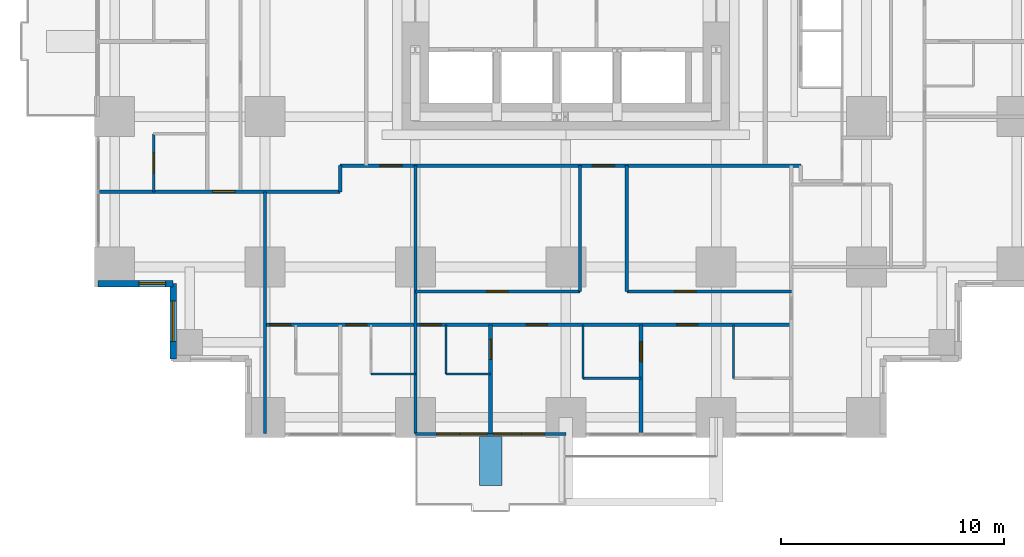
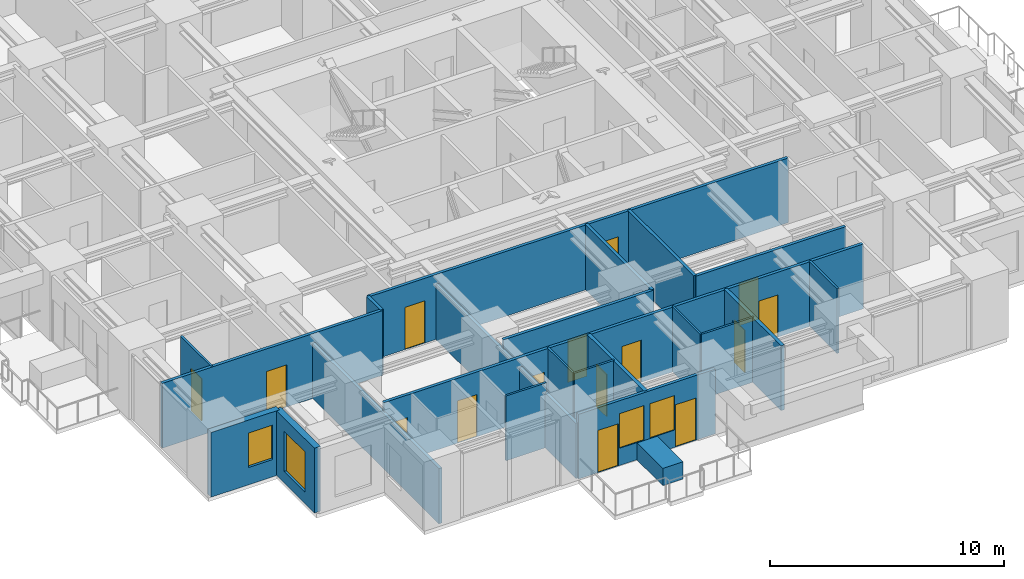
# One storey, part 8 of 14: 23 walls, 15 doors, 4 windows, 19 openings.
"""IFC4 building model written with IfcOpenShell, lengths in metres."""

from ifc_helpers import new_model, si_unit, direction, frame, frame_2d, origin, place, context, subcontext, project, spatial, rectangle, extrude, material, layer, layer_set, type_object, element, fill, save


model = new_model("IFC4")

# Units and contexts
model_context = context("Model", 3, precision=1e-05, world=origin(), true_north=direction((0.0, 1.0)))
body_context = subcontext(model_context, "Body", "Model", "MODEL_VIEW")
ifc_project = project(units=[si_unit("LENGTHUNIT", "METRE"), si_unit("AREAUNIT", "SQUARE_METRE"), si_unit("VOLUMEUNIT", "CUBIC_METRE"), si_unit("PLANEANGLEUNIT", "RADIAN"), si_unit("MASSUNIT", "GRAM", prefix="KILO")], contexts=[model_context])

# Site, building, storey
site_placement = place(None, origin())
site = spatial("IfcSite", under=ifc_project, at=site_placement, CompositionType="ELEMENT")
building_placement = place(site_placement, origin())
building = spatial("IfcBuilding", under=site, at=building_placement, Name="Nyansa Garden Tower", CompositionType="ELEMENT")
storey_placement = place(building_placement, frame((0.0, 0.0, 54.0)))
storey = spatial("IfcBuildingStorey", under=building, at=storey_placement, Name="L14", CompositionType="ELEMENT", Elevation=54.0)

# Wall, opening, door
ifc_material_1 = material(Name="Dense blockwork, plastered both sides, 55 dB", Category="masonry")
ifc_layer_1 = layer(ifc_material_1, 0.175048828125)
ifc_layer_set_1 = layer_set([ifc_layer_1], Name="Acoustic party wall PW175")
wall_type_1 = type_object("IfcWallType", Name="Acoustic party wall PW175", PredefinedType="PARTITIONING", material=ifc_layer_set_1)
wall_1_placement = place(storey_placement, frame((16.875, -0.73388671875, 0.0), z_axis=(0.0, 0.0, 1.0), x_axis=(0.0, 1.0, 0.0)))
wall_1 = element("IfcWall", 1, at=wall_1_placement, inside=storey, type_object=wall_type_1, Name="Party wall", PredefinedType="PARTITIONING", context=body_context, shape_type="SweptSolid", body=[
    extrude(rectangle(XDim=4.8837890625, YDim=0.175048828125, at=frame_2d((2.44189453125, 0.0))), origin(), (0.0, 0.0, 1.0), 3.375),
])
opening_1_placement = place(wall_1_placement, frame((3.333984375, 0.0, 0.0)))
opening_1 = element("IfcOpeningElement", 2, at=opening_1_placement, cuts=wall_1, Name="Opening D02", PredefinedType="OPENING", context=body_context, shape_type="SweptSolid", body=[
    extrude(rectangle(XDim=0.89990234375, YDim=2.199951171875, at=frame_2d((0.449951171875, 1.10009765625))), frame((0.0, 0.097412109375, 0.0), z_axis=(0.0, -1.0, 0.0), x_axis=(1.0, 0.0, 0.0)), (0.0, 0.0, 1.0), 0.195068359375),
])
ifc_material_2 = material(Name="Timber flush door", Category="wood")
door_type_1 = type_object("IfcDoorType", Name="En-suite door D02 900x2200", OperationType="SINGLE_SWING_RIGHT", PredefinedType="DOOR", material=ifc_material_2)
door_1_placement = place(opening_1_placement, origin())
door_1 = element("IfcDoor", 3, at=door_1_placement, inside=storey, type_object=door_type_1, Name="Door L14-028", OperationType="SINGLE_SWING_RIGHT", OverallHeight=2.199951171875, OverallWidth=0.89990234375, PredefinedType="DOOR", context=body_context, shape_type="SweptSolid", body=[
    extrude(rectangle(XDim=0.89990234375, YDim=2.199951171875, at=frame_2d((0.449951171875, 1.10009765625))), frame((0.0, 0.02490234375, 0.0), z_axis=(0.0, -1.0, 0.0), x_axis=(1.0, 0.0, 0.0)), (0.0, 0.0, 1.0), 0.050048828125),
])
fill(opening_1, door_1)

wall_2_placement = place(storey_placement, frame((23.625, -0.73388671875, 0.0), z_axis=(0.0, 0.0, 1.0), x_axis=(0.0, 1.0, 0.0)))
wall_2 = element("IfcWall", 4, at=wall_2_placement, inside=storey, type_object=wall_type_1, Name="Party wall", PredefinedType="PARTITIONING", context=body_context, shape_type="SweptSolid", body=[
    extrude(rectangle(XDim=4.8837890625, YDim=0.175048828125, at=frame_2d((2.44189453125, 0.0))), origin(), (0.0, 0.0, 1.0), 3.375),
])
opening_2_placement = place(wall_2_placement, frame((3.23388671875, 0.0, 0.0)))
opening_2 = element("IfcOpeningElement", 5, at=opening_2_placement, cuts=wall_2, Name="Opening D02", PredefinedType="OPENING", context=body_context, shape_type="SweptSolid", body=[
    extrude(rectangle(XDim=0.89990234375, YDim=2.199951171875, at=frame_2d((0.449951171875, 1.10009765625))), frame((0.0, 0.097412109375, 0.0), z_axis=(0.0, -1.0, 0.0), x_axis=(1.0, 0.0, 0.0)), (0.0, 0.0, 1.0), 0.195068359375),
])
door_2_placement = place(opening_2_placement, origin())
door_2 = element("IfcDoor", 6, at=door_2_placement, inside=storey, type_object=door_type_1, Name="Door L14-026", OperationType="SINGLE_SWING_RIGHT", OverallHeight=2.199951171875, OverallWidth=0.89990234375, PredefinedType="DOOR", context=body_context, shape_type="SweptSolid", body=[
    extrude(rectangle(XDim=0.89990234375, YDim=2.199951171875, at=frame_2d((0.449951171875, 1.10009765625))), frame((0.0, 0.02490234375, 0.0), z_axis=(0.0, -1.0, 0.0), x_axis=(1.0, 0.0, 0.0)), (0.0, 0.0, 1.0), 0.050048828125),
])
fill(opening_2, door_2)

# Wall, openings, doors, windows
ifc_material_3 = material(Name="Black aluminium framed glazed screen", Category="aluminium")
ifc_layer_2 = layer(ifc_material_3, 0.14990234375)
ifc_layer_set_2 = layer_set([ifc_layer_2], Name="Balcony screen wall BW150")
wall_type_2 = type_object("IfcWallType", Name="Balcony screen wall BW150", PredefinedType="SOLIDWALL", material=ifc_layer_set_2)
wall_3_placement = place(storey_placement, frame((20.25, -0.75, 0.0), z_axis=(0.0, 0.0, 1.0), x_axis=(-1.0, 0.0, 0.0)))
wall_3 = element("IfcWall", 7, at=wall_3_placement, inside=storey, type_object=wall_type_2, Name="Glazed screen wall L14 S", PredefinedType="SOLIDWALL", context=body_context, shape_type="SweptSolid", body=[
    extrude(rectangle(XDim=6.75, YDim=0.14990234375, at=frame_2d((3.375, 0.0))), origin(), (0.0, 0.0, 1.0), 3.375),
])
opening_3_placement = place(wall_3_placement, frame((0.96240234375, 0.0, 0.0)))
opening_3 = element("IfcOpeningElement", 8, at=opening_3_placement, cuts=wall_3, Name="Opening D20", PredefinedType="OPENING", context=body_context, shape_type="SweptSolid", body=[
    extrude(rectangle(XDim=1.0, YDim=2.199951171875, at=frame_2d((0.5, 1.10009765625))), frame((0.0, 0.0849609375, 0.0), z_axis=(0.0, -1.0, 0.0), x_axis=(1.0, 0.0, 0.0)), (0.0, 0.0, 1.0), 0.169921875),
])
opening_4_placement = place(wall_3_placement, frame((2.02490234375, 0.0, 0.89990234375)))
opening_4 = element("IfcOpeningElement", 9, at=opening_4_placement, cuts=wall_3, Name="Opening W6", PredefinedType="OPENING", context=body_context, shape_type="SweptSolid", body=[
    extrude(rectangle(XDim=1.199951171875, YDim=1.800048828125, at=frame_2d((0.60009765625, 0.89990234375))), frame((0.0, 0.0849609375, 0.0), z_axis=(0.0, -1.0, 0.0), x_axis=(1.0, 0.0, 0.0)), (0.0, 0.0, 1.0), 0.169921875),
])
opening_5_placement = place(wall_3_placement, frame((4.78759765625, 0.0, 0.0)))
opening_5 = element("IfcOpeningElement", 10, at=opening_5_placement, cuts=wall_3, Name="Opening D20", PredefinedType="OPENING", context=body_context, shape_type="SweptSolid", body=[
    extrude(rectangle(XDim=1.0, YDim=2.199951171875, at=frame_2d((0.5, 1.10009765625))), frame((0.0, 0.0849609375, 0.0), z_axis=(0.0, -1.0, 0.0), x_axis=(1.0, 0.0, 0.0)), (0.0, 0.0, 1.0), 0.169921875),
])
opening_6_placement = place(wall_3_placement, frame((3.52490234375, 0.0, 0.89990234375)))
opening_6 = element("IfcOpeningElement", 11, at=opening_6_placement, cuts=wall_3, Name="Opening W6", PredefinedType="OPENING", context=body_context, shape_type="SweptSolid", body=[
    extrude(rectangle(XDim=1.199951171875, YDim=1.800048828125, at=frame_2d((0.60009765625, 0.89990234375))), frame((0.0, 0.0849609375, 0.0), z_axis=(0.0, -1.0, 0.0), x_axis=(1.0, 0.0, 0.0)), (0.0, 0.0, 1.0), 0.169921875),
])
ifc_material_4 = material(Name="Black aluminium framed glazed door", Category="aluminium")
door_type_2 = type_object("IfcDoorType", Name="Balcony door D20 1000x2200", OperationType="NOTDEFINED", PredefinedType="DOOR", material=ifc_material_4)
door_3_placement = place(opening_3_placement, origin())
door_3 = element("IfcDoor", 12, at=door_3_placement, inside=storey, type_object=door_type_2, Name="Balcony door L14", OperationType="SINGLE_SWING_LEFT", OverallHeight=2.199951171875, OverallWidth=1.0, PredefinedType="DOOR", context=body_context, shape_type="SweptSolid", body=[
    extrude(rectangle(XDim=1.0, YDim=2.199951171875, at=frame_2d((0.5, 1.10009765625))), frame((0.0, 0.02490234375, 0.0), z_axis=(0.0, -1.0, 0.0), x_axis=(1.0, 0.0, 0.0)), (0.0, 0.0, 1.0), 0.050048828125),
])
fill(opening_3, door_3)
door_4_placement = place(opening_5_placement, origin())
door_4 = element("IfcDoor", 13, at=door_4_placement, inside=storey, type_object=door_type_2, Name="Balcony door L14", OperationType="SINGLE_SWING_RIGHT", OverallHeight=2.199951171875, OverallWidth=1.0, PredefinedType="DOOR", context=body_context, shape_type="SweptSolid", body=[
    extrude(rectangle(XDim=1.0, YDim=2.199951171875, at=frame_2d((0.5, 1.10009765625))), frame((0.0, 0.02490234375, 0.0), z_axis=(0.0, -1.0, 0.0), x_axis=(1.0, 0.0, 0.0)), (0.0, 0.0, 1.0), 0.050048828125),
])
fill(opening_5, door_4)
ifc_material_5 = material(Name="Black aluminium frame, dark tinted double glazing", Category="aluminium")
window_type_1 = type_object("IfcWindowType", Name="Balcony window W6 1200x1800", PartitioningType="SINGLE_PANEL", PredefinedType="WINDOW", material=ifc_material_5)
window_1_placement = place(opening_4_placement, origin())
window_1 = element("IfcWindow", 14, at=window_1_placement, inside=storey, type_object=window_type_1, Name="Window L14", OverallHeight=1.800048828125, OverallWidth=1.199951171875, PartitioningType="SINGLE_PANEL", PredefinedType="WINDOW", context=body_context, shape_type="SweptSolid", body=[
    extrude(rectangle(XDim=1.199951171875, YDim=1.800048828125, at=frame_2d((0.60009765625, 0.89990234375))), frame((0.0, 0.030029296875, 0.0), z_axis=(0.0, -1.0, 0.0), x_axis=(1.0, 0.0, 0.0)), (0.0, 0.0, 1.0), 0.06005859375),
])
fill(opening_4, window_1)
window_2_placement = place(opening_6_placement, origin())
window_2 = element("IfcWindow", 15, at=window_2_placement, inside=storey, type_object=window_type_1, Name="Window L14", OverallHeight=1.800048828125, OverallWidth=1.199951171875, PartitioningType="SINGLE_PANEL", PredefinedType="WINDOW", context=body_context, shape_type="SweptSolid", body=[
    extrude(rectangle(XDim=1.199951171875, YDim=1.800048828125, at=frame_2d((0.60009765625, 0.89990234375))), frame((0.0, 0.030029296875, 0.0), z_axis=(0.0, -1.0, 0.0), x_axis=(1.0, 0.0, 0.0)), (0.0, 0.0, 1.0), 0.06005859375),
])
fill(opening_6, window_2)

# Wall, opening, door
ifc_material_6 = material(Name="Blockwork, plastered both sides", Category="masonry")
ifc_layer_3 = layer(ifc_material_6, 0.14990234375)
ifc_layer_set_3 = layer_set([ifc_layer_3], Name="Partition PW150")
wall_type_3 = type_object("IfcWallType", Name="Partition PW150", PredefinedType="PARTITIONING", material=ifc_layer_set_3)
wall_4_placement = place(storey_placement, frame((-0.73388671875, 10.125, 0.0), z_axis=(0.0, 0.0, 1.0), x_axis=(1.0, 0.0, 0.0)))
wall_4 = element("IfcWall", 16, at=wall_4_placement, inside=storey, type_object=wall_type_3, Name="Partition", PredefinedType="PARTITIONING", context=body_context, shape_type="SweptSolid", body=[
    extrude(rectangle(XDim=10.85888671875, YDim=0.14990234375, at=frame_2d((5.429443359375, 0.0))), origin(), (0.0, 0.0, 1.0), 3.375),
])
opening_7_placement = place(wall_4_placement, frame((5.134033203125, 0.0, 0.0)))
opening_7 = element("IfcOpeningElement", 17, at=opening_7_placement, cuts=wall_4, Name="Opening D03", PredefinedType="OPENING", context=body_context, shape_type="SweptSolid", body=[
    extrude(rectangle(XDim=1.0, YDim=2.199951171875, at=frame_2d((0.5, 1.10009765625))), frame((0.0, 0.0849609375, 0.0), z_axis=(0.0, -1.0, 0.0), x_axis=(1.0, 0.0, 0.0)), (0.0, 0.0, 1.0), 0.169921875),
])
ifc_material_7 = material(Name="Timber flush door, 60 minute fire resisting", Category="wood")
door_type_3 = type_object("IfcDoorType", Name="Cluster entrance door D03 1000x2200", OperationType="SINGLE_SWING_LEFT", PredefinedType="DOOR", material=ifc_material_7)
door_5_placement = place(opening_7_placement, origin())
door_5 = element("IfcDoor", 18, at=door_5_placement, inside=storey, type_object=door_type_3, Name="Door L14-017", OperationType="SINGLE_SWING_LEFT", OverallHeight=2.199951171875, OverallWidth=1.0, PredefinedType="DOOR", context=body_context, shape_type="SweptSolid", body=[
    extrude(rectangle(XDim=1.0, YDim=2.199951171875, at=frame_2d((0.5, 1.10009765625))), frame((0.0, 0.02490234375, 0.0), z_axis=(0.0, -1.0, 0.0), x_axis=(1.0, 0.0, 0.0)), (0.0, 0.0, 1.0), 0.050048828125),
])
fill(opening_7, door_5)

# Wall
wall_5_placement = place(storey_placement, frame((6.75, -0.73388671875, 0.0), z_axis=(0.0, 0.0, 1.0), x_axis=(0.0, 1.0, 0.0)))
element("IfcWall", 19, at=wall_5_placement, inside=storey, type_object=wall_type_3, Name="Partition", PredefinedType="PARTITIONING", context=body_context, shape_type="SweptSolid", body=[
    extrude(rectangle(XDim=10.85888671875, YDim=0.14990234375, at=frame_2d((5.429443359375, 0.0))), origin(), (0.0, 0.0, 1.0), 2.876953125),
])

# Wall, openings, doors
wall_6_placement = place(storey_placement, frame((6.75, 4.14990234375, 0.0), z_axis=(0.0, 0.0, 1.0), x_axis=(1.0, 0.0, 0.0)))
wall_6 = element("IfcWall", 20, at=wall_6_placement, inside=storey, type_object=wall_type_3, Name="Partition", PredefinedType="PARTITIONING", context=body_context, shape_type="SweptSolid", body=[
    extrude(rectangle(XDim=23.625, YDim=0.14990234375, at=frame_2d((11.8125, 0.0))), origin(), (0.0, 0.0, 1.0), 3.375),
])
opening_8_placement = place(wall_6_placement, frame((0.199951171875, 0.0, 0.0)))
opening_8 = element("IfcOpeningElement", 21, at=opening_8_placement, cuts=wall_6, Name="Opening D01", PredefinedType="OPENING", context=body_context, shape_type="SweptSolid", body=[
    extrude(rectangle(XDim=0.949951171875, YDim=2.199951171875, at=frame_2d((0.47509765625, 1.10009765625))), frame((0.0, 0.0849609375, 0.0), z_axis=(0.0, -1.0, 0.0), x_axis=(1.0, 0.0, 0.0)), (0.0, 0.0, 1.0), 0.169921875),
])
opening_9_placement = place(wall_6_placement, frame((3.625, 0.0, 0.0)))
opening_9 = element("IfcOpeningElement", 22, at=opening_9_placement, cuts=wall_6, Name="Opening D01", PredefinedType="OPENING", context=body_context, shape_type="SweptSolid", body=[
    extrude(rectangle(XDim=0.949951171875, YDim=2.199951171875, at=frame_2d((0.47509765625, 1.10009765625))), frame((0.0, 0.0849609375, 0.0), z_axis=(0.0, -1.0, 0.0), x_axis=(1.0, 0.0, 0.0)), (0.0, 0.0, 1.0), 0.169921875),
])
opening_10_placement = place(wall_6_placement, frame((18.47509765625, 0.0, 0.0)))
opening_10 = element("IfcOpeningElement", 23, at=opening_10_placement, cuts=wall_6, Name="Opening D14", PredefinedType="OPENING", context=body_context, shape_type="SweptSolid", body=[
    extrude(rectangle(XDim=0.949951171875, YDim=2.199951171875, at=frame_2d((0.47509765625, 1.10009765625))), frame((0.0, 0.0849609375, 0.0), z_axis=(0.0, -1.0, 0.0), x_axis=(1.0, 0.0, 0.0)), (0.0, 0.0, 1.0), 0.169921875),
])
opening_11_placement = place(wall_6_placement, frame((11.72509765625, 0.0, 0.0)))
opening_11 = element("IfcOpeningElement", 24, at=opening_11_placement, cuts=wall_6, Name="Opening D14", PredefinedType="OPENING", context=body_context, shape_type="SweptSolid", body=[
    extrude(rectangle(XDim=0.949951171875, YDim=2.199951171875, at=frame_2d((0.47509765625, 1.10009765625))), frame((0.0, 0.0849609375, 0.0), z_axis=(0.0, -1.0, 0.0), x_axis=(1.0, 0.0, 0.0)), (0.0, 0.0, 1.0), 0.169921875),
])
opening_12_placement = place(wall_6_placement, frame((6.949951171875, 0.0, 0.0)))
opening_12 = element("IfcOpeningElement", 25, at=opening_12_placement, cuts=wall_6, Name="Opening D14", PredefinedType="OPENING", context=body_context, shape_type="SweptSolid", body=[
    extrude(rectangle(XDim=0.949951171875, YDim=2.199951171875, at=frame_2d((0.47509765625, 1.10009765625))), frame((0.0, 0.0849609375, 0.0), z_axis=(0.0, -1.0, 0.0), x_axis=(1.0, 0.0, 0.0)), (0.0, 0.0, 1.0), 0.169921875),
])
ifc_material_8 = material(Name="Timber flush door, 30 minute fire resisting", Category="wood")
door_type_4 = type_object("IfcDoorType", Name="Bedroom door D01 950x2200", OperationType="SINGLE_SWING_LEFT", PredefinedType="DOOR", material=ifc_material_8)
door_6_placement = place(opening_8_placement, origin())
door_6 = element("IfcDoor", 26, at=door_6_placement, inside=storey, type_object=door_type_4, Name="Door L14-018", OperationType="SINGLE_SWING_LEFT", OverallHeight=2.199951171875, OverallWidth=0.949951171875, PredefinedType="DOOR", context=body_context, shape_type="SweptSolid", body=[
    extrude(rectangle(XDim=0.949951171875, YDim=2.199951171875, at=frame_2d((0.47509765625, 1.10009765625))), frame((0.0, 0.02490234375, 0.0), z_axis=(0.0, -1.0, 0.0), x_axis=(1.0, 0.0, 0.0)), (0.0, 0.0, 1.0), 0.050048828125),
])
fill(opening_8, door_6)
door_7_placement = place(opening_9_placement, origin())
door_7 = element("IfcDoor", 27, at=door_7_placement, inside=storey, type_object=door_type_4, Name="Door L14-020", OperationType="SINGLE_SWING_LEFT", OverallHeight=2.199951171875, OverallWidth=0.949951171875, PredefinedType="DOOR", context=body_context, shape_type="SweptSolid", body=[
    extrude(rectangle(XDim=0.949951171875, YDim=2.199951171875, at=frame_2d((0.47509765625, 1.10009765625))), frame((0.0, 0.02490234375, 0.0), z_axis=(0.0, -1.0, 0.0), x_axis=(1.0, 0.0, 0.0)), (0.0, 0.0, 1.0), 0.050048828125),
])
fill(opening_9, door_7)
ifc_material_9 = material(Name="Timber flush door, 60 minute fire resisting, self-closing", Category="wood")
door_type_5 = type_object("IfcDoorType", Name="Studio entrance door D14 950x2200", OperationType="SINGLE_SWING_LEFT", PredefinedType="DOOR", material=ifc_material_9)
door_8_placement = place(opening_10_placement, origin())
door_8 = element("IfcDoor", 28, at=door_8_placement, inside=storey, type_object=door_type_5, Name="Door L14-023", OperationType="SINGLE_SWING_LEFT", OverallHeight=2.199951171875, OverallWidth=0.949951171875, PredefinedType="DOOR", context=body_context, shape_type="SweptSolid", body=[
    extrude(rectangle(XDim=0.949951171875, YDim=2.199951171875, at=frame_2d((0.47509765625, 1.10009765625))), frame((0.0, 0.02490234375, 0.0), z_axis=(0.0, -1.0, 0.0), x_axis=(1.0, 0.0, 0.0)), (0.0, 0.0, 1.0), 0.050048828125),
])
fill(opening_10, door_8)
door_9_placement = place(opening_11_placement, origin())
door_9 = element("IfcDoor", 29, at=door_9_placement, inside=storey, type_object=door_type_5, Name="Door L14-025", OperationType="SINGLE_SWING_LEFT", OverallHeight=2.199951171875, OverallWidth=0.949951171875, PredefinedType="DOOR", context=body_context, shape_type="SweptSolid", body=[
    extrude(rectangle(XDim=0.949951171875, YDim=2.199951171875, at=frame_2d((0.47509765625, 1.10009765625))), frame((0.0, 0.02490234375, 0.0), z_axis=(0.0, -1.0, 0.0), x_axis=(1.0, 0.0, 0.0)), (0.0, 0.0, 1.0), 0.050048828125),
])
fill(opening_11, door_9)
door_10_placement = place(opening_12_placement, origin())
door_10 = element("IfcDoor", 30, at=door_10_placement, inside=storey, type_object=door_type_5, Name="Door L14-027", OperationType="SINGLE_SWING_LEFT", OverallHeight=2.199951171875, OverallWidth=0.949951171875, PredefinedType="DOOR", context=body_context, shape_type="SweptSolid", body=[
    extrude(rectangle(XDim=0.949951171875, YDim=2.199951171875, at=frame_2d((0.47509765625, 1.10009765625))), frame((0.0, 0.02490234375, 0.0), z_axis=(0.0, -1.0, 0.0), x_axis=(1.0, 0.0, 0.0)), (0.0, 0.0, 1.0), 0.050048828125),
])
fill(opening_12, door_10)

# Wall
wall_7_placement = place(storey_placement, frame((10.125, 10.125, 0.0), z_axis=(0.0, 0.0, 1.0), x_axis=(0.0, 1.0, 0.0)))
element("IfcWall", 31, at=wall_7_placement, inside=storey, type_object=wall_type_3, Name="Partition", PredefinedType="PARTITIONING", context=body_context, shape_type="SweptSolid", body=[
    extrude(rectangle(XDim=1.175048828125, YDim=0.14990234375, at=frame_2d((0.58740234375, 0.0))), origin(), (0.0, 0.0, 1.0), 3.375),
])

# Wall, openings, doors
wall_8_placement = place(storey_placement, frame((10.125, 11.300048828125, 0.0), z_axis=(0.0, 0.0, 1.0), x_axis=(1.0, 0.0, 0.0)))
wall_8 = element("IfcWall", 32, at=wall_8_placement, inside=storey, type_object=wall_type_3, Name="Partition", PredefinedType="PARTITIONING", context=body_context, shape_type="SweptSolid", body=[
    extrude(rectangle(XDim=20.675048828125, YDim=0.14990234375, at=frame_2d((10.33740234375, 0.0))), origin(), (0.0, 0.0, 1.0), 3.375),
])
opening_13_placement = place(wall_8_placement, frame((1.77490234375, 0.0, 0.0)))
opening_13 = element("IfcOpeningElement", 33, at=opening_13_placement, cuts=wall_8, Name="Opening D03", PredefinedType="OPENING", context=body_context, shape_type="SweptSolid", body=[
    extrude(rectangle(XDim=1.0, YDim=2.199951171875, at=frame_2d((0.5, 1.10009765625))), frame((0.0, 0.0849609375, 0.0), z_axis=(0.0, -1.0, 0.0), x_axis=(1.0, 0.0, 0.0)), (0.0, 0.0, 1.0), 0.169921875),
])
opening_14_placement = place(wall_8_placement, frame((11.3125, 0.0, 0.0)))
opening_14 = element("IfcOpeningElement", 34, at=opening_14_placement, cuts=wall_8, Name="Opening D03", PredefinedType="OPENING", context=body_context, shape_type="SweptSolid", body=[
    extrude(rectangle(XDim=1.0, YDim=2.199951171875, at=frame_2d((0.5, 1.10009765625))), frame((0.0, 0.0849609375, 0.0), z_axis=(0.0, -1.0, 0.0), x_axis=(1.0, 0.0, 0.0)), (0.0, 0.0, 1.0), 0.169921875),
])
door_11_placement = place(opening_13_placement, origin())
door_11 = element("IfcDoor", 35, at=door_11_placement, inside=storey, type_object=door_type_3, Name="Door L14-022", OperationType="SINGLE_SWING_LEFT", OverallHeight=2.199951171875, OverallWidth=1.0, PredefinedType="DOOR", context=body_context, shape_type="SweptSolid", body=[
    extrude(rectangle(XDim=1.0, YDim=2.199951171875, at=frame_2d((0.5, 1.10009765625))), frame((0.0, 0.02490234375, 0.0), z_axis=(0.0, -1.0, 0.0), x_axis=(1.0, 0.0, 0.0)), (0.0, 0.0, 1.0), 0.050048828125),
])
fill(opening_13, door_11)
door_12_placement = place(opening_14_placement, origin())
door_12 = element("IfcDoor", 36, at=door_12_placement, inside=storey, type_object=door_type_3, Name="Door L14-029", OperationType="SINGLE_SWING_LEFT", OverallHeight=2.199951171875, OverallWidth=1.0, PredefinedType="DOOR", context=body_context, shape_type="SweptSolid", body=[
    extrude(rectangle(XDim=1.0, YDim=2.199951171875, at=frame_2d((0.5, 1.10009765625))), frame((0.0, 0.02490234375, 0.0), z_axis=(0.0, -1.0, 0.0), x_axis=(1.0, 0.0, 0.0)), (0.0, 0.0, 1.0), 0.050048828125),
])
fill(opening_14, door_12)

# Wall
wall_9_placement = place(storey_placement, frame((13.5, -0.73388671875, 0.0), z_axis=(0.0, 0.0, 1.0), x_axis=(0.0, 1.0, 0.0)))
element("IfcWall", 37, at=wall_9_placement, inside=storey, type_object=wall_type_3, Name="Partition", PredefinedType="PARTITIONING", context=body_context, shape_type="SweptSolid", body=[
    extrude(rectangle(XDim=12.033935546875, YDim=0.14990234375, at=frame_2d((6.01708984375, 0.0))), origin(), (0.0, 0.0, 1.0), 2.876953125),
])

# Wall, opening, door
wall_10_placement = place(storey_placement, frame((13.5, 5.64990234375, 0.0), z_axis=(0.0, 0.0, 1.0), x_axis=(1.0, 0.0, 0.0)))
wall_10 = element("IfcWall", 38, at=wall_10_placement, inside=storey, type_object=wall_type_3, Name="Partition", PredefinedType="PARTITIONING", context=body_context, shape_type="SweptSolid", body=[
    extrude(rectangle(XDim=7.387451171875, YDim=0.14990234375, at=frame_2d((3.69384765625, 0.0))), origin(), (0.0, 0.0, 1.0), 3.375),
])
opening_15_placement = place(wall_10_placement, frame((3.199951171875, 0.0, 0.0)))
opening_15 = element("IfcOpeningElement", 39, at=opening_15_placement, cuts=wall_10, Name="Opening D01", PredefinedType="OPENING", context=body_context, shape_type="SweptSolid", body=[
    extrude(rectangle(XDim=0.949951171875, YDim=2.199951171875, at=frame_2d((0.47509765625, 1.10009765625))), frame((0.0, 0.0849609375, 0.0), z_axis=(0.0, -1.0, 0.0), x_axis=(1.0, 0.0, 0.0)), (0.0, 0.0, 1.0), 0.169921875),
])
door_13_placement = place(opening_15_placement, origin())
door_13 = element("IfcDoor", 40, at=door_13_placement, inside=storey, type_object=door_type_4, Name="Door L14-031", OperationType="SINGLE_SWING_LEFT", OverallHeight=2.199951171875, OverallWidth=0.949951171875, PredefinedType="DOOR", context=body_context, shape_type="SweptSolid", body=[
    extrude(rectangle(XDim=0.949951171875, YDim=2.199951171875, at=frame_2d((0.47509765625, 1.10009765625))), frame((0.0, 0.02490234375, 0.0), z_axis=(0.0, -1.0, 0.0), x_axis=(1.0, 0.0, 0.0)), (0.0, 0.0, 1.0), 0.050048828125),
])
fill(opening_15, door_13)

# Wall
wall_11_placement = place(storey_placement, frame((20.886962890625, 5.64990234375, 0.0), z_axis=(0.0, 0.0, 1.0), x_axis=(0.0, 1.0, 0.0)))
element("IfcWall", 41, at=wall_11_placement, inside=storey, type_object=wall_type_3, Name="Partition", PredefinedType="PARTITIONING", context=body_context, shape_type="SweptSolid", body=[
    extrude(rectangle(XDim=5.650146484375, YDim=0.14990234375, at=frame_2d((2.8251953125, 0.0))), origin(), (0.0, 0.0, 1.0), 3.375),
])

# Wall, opening, door
wall_12_placement = place(storey_placement, frame((22.987548828125, 5.64990234375, 0.0), z_axis=(0.0, 0.0, 1.0), x_axis=(1.0, 0.0, 0.0)))
wall_12 = element("IfcWall", 42, at=wall_12_placement, inside=storey, type_object=wall_type_3, Name="Partition", PredefinedType="PARTITIONING", context=body_context, shape_type="SweptSolid", body=[
    extrude(rectangle(XDim=7.387451171875, YDim=0.14990234375, at=frame_2d((3.69384765625, 0.0))), origin(), (0.0, 0.0, 1.0), 3.375),
])
opening_16_placement = place(wall_12_placement, frame((2.14990234375, 0.0, 0.0)))
opening_16 = element("IfcOpeningElement", 43, at=opening_16_placement, cuts=wall_12, Name="Opening D01", PredefinedType="OPENING", context=body_context, shape_type="SweptSolid", body=[
    extrude(rectangle(XDim=0.949951171875, YDim=2.199951171875, at=frame_2d((0.47509765625, 1.10009765625))), frame((0.0, 0.0849609375, 0.0), z_axis=(0.0, -1.0, 0.0), x_axis=(1.0, 0.0, 0.0)), (0.0, 0.0, 1.0), 0.169921875),
])
door_14_placement = place(opening_16_placement, origin())
door_14 = element("IfcDoor", 44, at=door_14_placement, inside=storey, type_object=door_type_4, Name="Door L14-030", OperationType="SINGLE_SWING_LEFT", OverallHeight=2.199951171875, OverallWidth=0.949951171875, PredefinedType="DOOR", context=body_context, shape_type="SweptSolid", body=[
    extrude(rectangle(XDim=0.949951171875, YDim=2.199951171875, at=frame_2d((0.47509765625, 1.10009765625))), frame((0.0, 0.02490234375, 0.0), z_axis=(0.0, -1.0, 0.0), x_axis=(1.0, 0.0, 0.0)), (0.0, 0.0, 1.0), 0.050048828125),
])
fill(opening_16, door_14)

# Wall
wall_13_placement = place(storey_placement, frame((22.988037109375, 5.64990234375, 0.0), z_axis=(0.0, 0.0, 1.0), x_axis=(0.0, 1.0, 0.0)))
element("IfcWall", 45, at=wall_13_placement, inside=storey, type_object=wall_type_3, Name="Partition", PredefinedType="PARTITIONING", context=body_context, shape_type="SweptSolid", body=[
    extrude(rectangle(XDim=5.650146484375, YDim=0.14990234375, at=frame_2d((2.8251953125, 0.0))), origin(), (0.0, 0.0, 1.0), 3.375),
])

# Wall, opening, window
ifc_material_10 = material(Name="Turquoise glazed tile on concrete blockwork", Category="masonry")
ifc_layer_4 = layer(ifc_material_10, 0.300048828125)
ifc_layer_set_4 = layer_set([ifc_layer_4], Name="Tiled corner wall TW300")
wall_type_4 = type_object("IfcWallType", Name="Tiled corner wall TW300", PredefinedType="SOLIDWALL", material=ifc_layer_set_4)
wall_14_placement = place(storey_placement, frame((-0.75, 6.0, 0.0), z_axis=(0.0, 0.0, 1.0), x_axis=(1.0, 0.0, 0.0)))
wall_14 = element("IfcWall", 46, at=wall_14_placement, inside=storey, type_object=wall_type_4, Name="Tiled corner wall L14", PredefinedType="SOLIDWALL", context=body_context, shape_type="SweptSolid", body=[
    extrude(rectangle(XDim=3.375, YDim=0.300048828125, at=frame_2d((1.6875, 0.0))), origin(), (0.0, 0.0, 1.0), 3.375),
])
opening_17_placement = place(wall_14_placement, frame((1.83251953125, 0.0, 0.89990234375)))
opening_17 = element("IfcOpeningElement", 47, at=opening_17_placement, cuts=wall_14, Name="Opening W4", PredefinedType="OPENING", context=body_context, shape_type="SweptSolid", body=[
    extrude(rectangle(XDim=1.199951171875, YDim=1.800048828125, at=frame_2d((0.60009765625, 0.89990234375))), frame((0.0, 0.159912109375, 0.0), z_axis=(0.0, -1.0, 0.0), x_axis=(1.0, 0.0, 0.0)), (0.0, 0.0, 1.0), 0.320068359375),
])
ifc_material_11 = material(Name="Black aluminium frame, dark tinted double glazing", Category="aluminium")
window_type_2 = type_object("IfcWindowType", Name="Window W4 1200x1800", PartitioningType="SINGLE_PANEL", PredefinedType="WINDOW", material=ifc_material_11)
window_3_placement = place(opening_17_placement, origin())
window_3 = element("IfcWindow", 48, at=window_3_placement, inside=storey, type_object=window_type_2, Name="Corner window L14", OverallHeight=1.800048828125, OverallWidth=1.199951171875, PartitioningType="SINGLE_PANEL", PredefinedType="WINDOW", context=body_context, shape_type="SweptSolid", body=[
    extrude(rectangle(XDim=1.199951171875, YDim=1.800048828125, at=frame_2d((0.60009765625, 0.89990234375))), frame((0.0, 0.030029296875, 0.0), z_axis=(0.0, -1.0, 0.0), x_axis=(1.0, 0.0, 0.0)), (0.0, 0.0, 1.0), 0.06005859375),
])
fill(opening_17, window_3)

wall_15_placement = place(storey_placement, frame((2.625, 6.0, 0.0), z_axis=(0.0, 0.0, 1.0), x_axis=(0.0, -1.0, 0.0)))
wall_15 = element("IfcWall", 49, at=wall_15_placement, inside=storey, type_object=wall_type_4, Name="Tiled corner wall L14", PredefinedType="SOLIDWALL", context=body_context, shape_type="SweptSolid", body=[
    extrude(rectangle(XDim=3.375, YDim=0.300048828125, at=frame_2d((1.6875, 0.0))), origin(), (0.0, 0.0, 1.0), 3.375),
])
opening_18_placement = place(wall_15_placement, frame((0.78759765625, 0.0, 0.60009765625)))
opening_18 = element("IfcOpeningElement", 50, at=opening_18_placement, cuts=wall_15, Name="Opening W2", PredefinedType="OPENING", context=body_context, shape_type="SweptSolid", body=[
    extrude(rectangle(XDim=1.800048828125, YDim=2.10009765625, at=frame_2d((0.89990234375, 1.050048828125))), frame((0.0, 0.159912109375, 0.0), z_axis=(0.0, -1.0, 0.0), x_axis=(1.0, 0.0, 0.0)), (0.0, 0.0, 1.0), 0.320068359375),
])
ifc_material_12 = material(Name="Black aluminium frame, dark tinted double glazing", Category="aluminium")
window_type_3 = type_object("IfcWindowType", Name="Window W2 1800x2100", PartitioningType="SINGLE_PANEL", PredefinedType="WINDOW", material=ifc_material_12)
window_4_placement = place(opening_18_placement, origin())
window_4 = element("IfcWindow", 51, at=window_4_placement, inside=storey, type_object=window_type_3, Name="Corner window L14", OverallHeight=2.10009765625, OverallWidth=1.800048828125, PartitioningType="SINGLE_PANEL", PredefinedType="WINDOW", context=body_context, shape_type="SweptSolid", body=[
    extrude(rectangle(XDim=1.800048828125, YDim=2.10009765625, at=frame_2d((0.89990234375, 1.050048828125))), frame((0.0, 0.030029296875, 0.0), z_axis=(0.0, -1.0, 0.0), x_axis=(1.0, 0.0, 0.0)), (0.0, 0.0, 1.0), 0.06005859375),
])
fill(opening_18, window_4)

# Wall
ifc_material_13 = material(Name="Concrete C40/50 planter, waterproofed", Category="concrete")
ifc_layer_5 = layer(ifc_material_13, 1.0)
ifc_layer_set_5 = layer_set([ifc_layer_5], Name="Tree planter TP1")
wall_type_5 = type_object("IfcWallType", Name="Tree planter TP1", PredefinedType="USERDEFINED", material=ifc_layer_set_5)
wall_16_placement = place(storey_placement, frame((16.875, -0.85009765625, 0.0), z_axis=(0.0, 0.0, 1.0), x_axis=(0.0, -1.0, 0.0)))
element("IfcWall", 52, at=wall_16_placement, inside=storey, type_object=wall_type_5, Name="Tree planter L14", ObjectType="TREE PLANTER", PredefinedType="USERDEFINED", context=body_context, shape_type="SweptSolid", body=[
    extrude(rectangle(XDim=2.199951171875, YDim=1.0, at=frame_2d((1.10009765625, 0.0))), origin(), (0.0, 0.0, 1.0), 0.89990234375),
])

# Wall, opening, door
ifc_material_14 = material(Name="Moisture resistant board on steel studs, tiled", Category="steel")
ifc_layer_6 = layer(ifc_material_14, 0.10009765625)
ifc_layer_set_6 = layer_set([ifc_layer_6], Name="Wet wall PW100")
wall_type_6 = type_object("IfcWallType", Name="Wet wall PW100", PredefinedType="PARTITIONING", material=ifc_layer_set_6)
wall_17_placement = place(storey_placement, frame((1.75, 10.125, 0.0), z_axis=(0.0, 0.0, 1.0), x_axis=(0.0, 1.0, 0.0)))
wall_17 = element("IfcWall", 53, at=wall_17_placement, inside=storey, type_object=wall_type_6, Name="Wet wall", PredefinedType="PARTITIONING", context=body_context, shape_type="SweptSolid", body=[
    extrude(rectangle(XDim=2.60009765625, YDim=0.10009765625, at=frame_2d((1.300048828125, 0.0))), origin(), (0.0, 0.0, 1.0), 3.375),
])
opening_19_placement = place(wall_17_placement, frame((0.85009765625, 0.0, 0.0)))
opening_19 = element("IfcOpeningElement", 54, at=opening_19_placement, cuts=wall_17, Name="Opening D02", PredefinedType="OPENING", context=body_context, shape_type="SweptSolid", body=[
    extrude(rectangle(XDim=0.89990234375, YDim=2.199951171875, at=frame_2d((0.449951171875, 1.10009765625))), frame((0.0, 0.06005859375, 0.0), z_axis=(0.0, -1.0, 0.0), x_axis=(1.0, 0.0, 0.0)), (0.0, 0.0, 1.0), 0.1201171875),
])
door_15_placement = place(opening_19_placement, origin())
door_15 = element("IfcDoor", 55, at=door_15_placement, inside=storey, type_object=door_type_1, Name="Door L14-059", OperationType="SINGLE_SWING_RIGHT", OverallHeight=2.199951171875, OverallWidth=0.89990234375, PredefinedType="DOOR", context=body_context, shape_type="SweptSolid", body=[
    extrude(rectangle(XDim=0.89990234375, YDim=2.199951171875, at=frame_2d((0.449951171875, 1.10009765625))), frame((0.0, 0.02490234375, 0.0), z_axis=(0.0, -1.0, 0.0), x_axis=(1.0, 0.0, 0.0)), (0.0, 0.0, 1.0), 0.050048828125),
])
fill(opening_19, door_15)

# Walls
wall_18_placement = place(storey_placement, frame((11.5, 1.949951171875, 0.0), z_axis=(0.0, 0.0, 1.0), x_axis=(1.0, 0.0, 0.0)))
element("IfcWall", 56, at=wall_18_placement, inside=storey, type_object=wall_type_6, Name="Wet wall", PredefinedType="PARTITIONING", context=body_context, shape_type="SweptSolid", body=[
    extrude(rectangle(XDim=2.0, YDim=0.10009765625, at=frame_2d((1.0, 0.0))), origin(), (0.0, 0.0, 1.0), 3.375),
])
wall_19_placement = place(storey_placement, frame((14.875, 1.949951171875, 0.0), z_axis=(0.0, 0.0, 1.0), x_axis=(0.0, 1.0, 0.0)))
element("IfcWall", 57, at=wall_19_placement, inside=storey, type_object=wall_type_6, Name="Wet wall", PredefinedType="PARTITIONING", context=body_context, shape_type="SweptSolid", body=[
    extrude(rectangle(XDim=2.199951171875, YDim=0.10009765625, at=frame_2d((1.10009765625, 0.0))), origin(), (0.0, 0.0, 1.0), 3.375),
])
wall_20_placement = place(storey_placement, frame((14.875, 1.949951171875, 0.0), z_axis=(0.0, 0.0, 1.0), x_axis=(1.0, 0.0, 0.0)))
element("IfcWall", 58, at=wall_20_placement, inside=storey, type_object=wall_type_6, Name="Wet wall", PredefinedType="PARTITIONING", context=body_context, shape_type="SweptSolid", body=[
    extrude(rectangle(XDim=2.0, YDim=0.10009765625, at=frame_2d((1.0, 0.0))), origin(), (0.0, 0.0, 1.0), 3.375),
])
wall_21_placement = place(storey_placement, frame((21.02490234375, 1.75, 0.0), z_axis=(0.0, 0.0, 1.0), x_axis=(0.0, 1.0, 0.0)))
element("IfcWall", 59, at=wall_21_placement, inside=storey, type_object=wall_type_6, Name="Wet wall", PredefinedType="PARTITIONING", context=body_context, shape_type="SweptSolid", body=[
    extrude(rectangle(XDim=2.39990234375, YDim=0.10009765625, at=frame_2d((1.199951171875, 0.0))), origin(), (0.0, 0.0, 1.0), 3.375),
])
wall_22_placement = place(storey_placement, frame((21.02490234375, 1.75, 0.0), z_axis=(0.0, 0.0, 1.0), x_axis=(1.0, 0.0, 0.0)))
element("IfcWall", 60, at=wall_22_placement, inside=storey, type_object=wall_type_6, Name="Wet wall", PredefinedType="PARTITIONING", context=body_context, shape_type="SweptSolid", body=[
    extrude(rectangle(XDim=2.60009765625, YDim=0.10009765625, at=frame_2d((1.300048828125, 0.0))), origin(), (0.0, 0.0, 1.0), 3.375),
])
wall_23_placement = place(storey_placement, frame((27.77490234375, 1.75, 0.0), z_axis=(0.0, 0.0, 1.0), x_axis=(0.0, 1.0, 0.0)))
element("IfcWall", 61, at=wall_23_placement, inside=storey, type_object=wall_type_6, Name="Wet wall", PredefinedType="PARTITIONING", context=body_context, shape_type="SweptSolid", body=[
    extrude(rectangle(XDim=2.39990234375, YDim=0.10009765625, at=frame_2d((1.199951171875, 0.0))), origin(), (0.0, 0.0, 1.0), 3.375),
])

save(model, "model.ifc")
